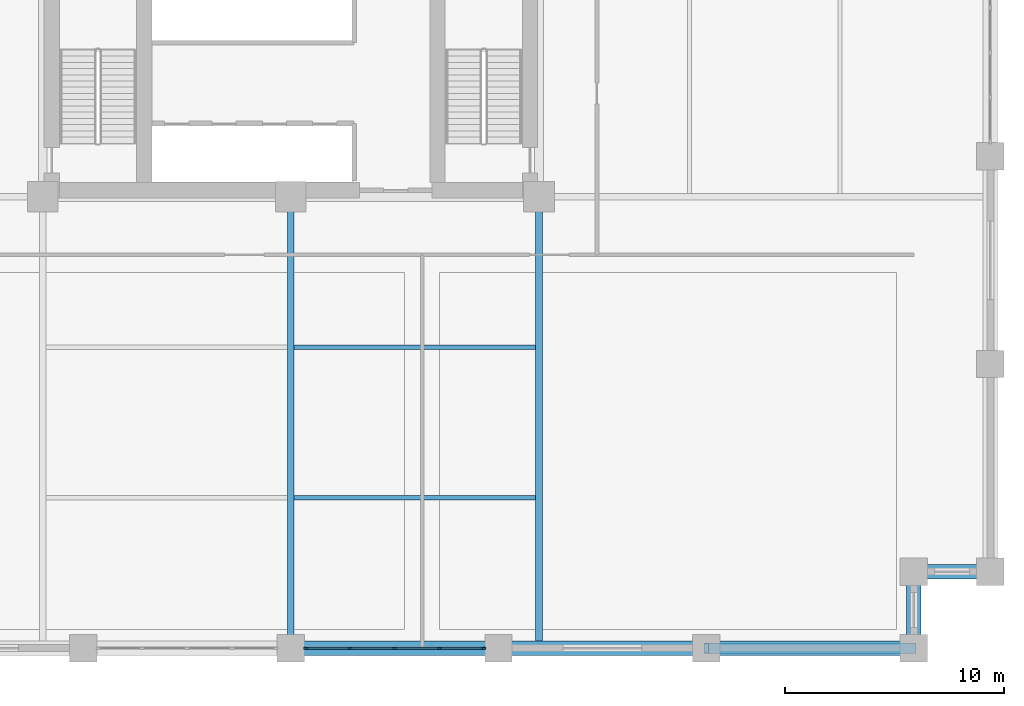
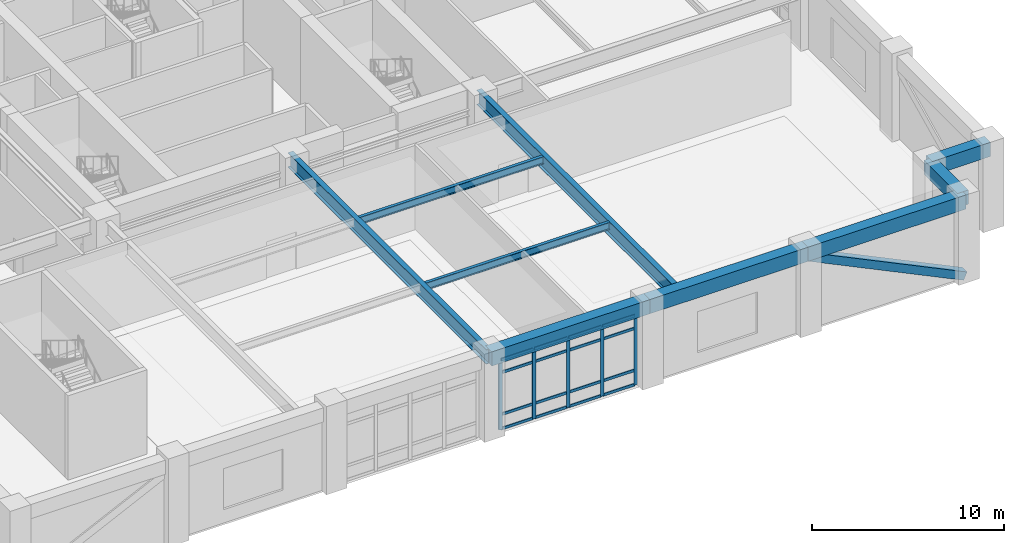
# One storey, part 4 of 21: 22 members, 9 beams, 1 element without a shape of its own.
"""IFC4 building model written with IfcOpenShell, lengths in metres."""

from ifc_helpers import new_model, si_unit, direction, frame, origin, origin_2d, place, context, subcontext, project, spatial, rectangle, hollow_rectangle, i_section, extrude, material, layer, layer_set, material_profile, profile_set, type_object, element, aggregate, save


model = new_model("IFC4")

# Units and contexts
model_context = context("Model", 3, precision=1e-05, world=origin(), true_north=direction((0.0, 1.0)))
body_context = subcontext(model_context, "Body", "Model", "MODEL_VIEW")
ifc_project = project(units=[si_unit("LENGTHUNIT", "METRE"), si_unit("AREAUNIT", "SQUARE_METRE"), si_unit("VOLUMEUNIT", "CUBIC_METRE"), si_unit("PLANEANGLEUNIT", "RADIAN"), si_unit("MASSUNIT", "GRAM", prefix="KILO")], contexts=[model_context])

# Site, building, storey
site_placement = place(None, origin())
site = spatial("IfcSite", under=ifc_project, at=site_placement, CompositionType="ELEMENT")
building_placement = place(site_placement, origin())
building = spatial("IfcBuilding", under=site, at=building_placement, Name="Nhamokura Convention Tower", CompositionType="ELEMENT")
storey_placement = place(building_placement, frame((0.0, 0.0, 6.64990234375)))
storey = spatial("IfcBuildingStorey", under=building, at=storey_placement, Name="L01", CompositionType="ELEMENT", Elevation=6.64990234375)

# Curtain wall, members
ifc_material_1 = material(Name="Anodised bronze aluminium AA6063-T6", Category="aluminium")
ifc_layer = layer(ifc_material_1, 0.179931640625)
ifc_layer_set = layer_set([ifc_layer], Name="CWSystem_PodiumConcourse")
curtain_wall_type = type_object("IfcCurtainWallType", Name="CWSystem_PodiumConcourse", PredefinedType="NOTDEFINED", material=ifc_layer_set)
curtain_wall_placement = place(storey_placement, origin())
curtain_wall = element("IfcCurtainWall", 1, at=curtain_wall_placement, inside=storey, type_object=curtain_wall_type, Name="L01 Curtain Wall ENV-L01-CW-S3", PredefinedType="NOTDEFINED")
ifc_material_2 = material(Name="Anodised bronze aluminium AA6063-T6", Category="aluminium")
ifc_material_profile_1 = material_profile(ifc_material_2, rectangle(XDim=0.077880859375, YDim=0.201904296875, at=origin_2d()))
ifc_profile_set_1 = profile_set([ifc_material_profile_1], Name="Anodised bronze aluminium AA6063-T6")
member_type_1 = type_object("IfcMemberType", Name="CWMullion_1", PredefinedType="MULLION", material=ifc_profile_set_1)
member_1_placement = place(storey_placement, frame((40.81103515625, 0.0, 0.0), z_axis=(0.0, 0.0, 1.0), x_axis=(0.0, -1.0, 0.0)))
member_1 = element("IfcMember", 2, at=member_1_placement, type_object=member_type_1, Name="CW-01 mullion 1", PredefinedType="MULLION", context=body_context, shape_type="SweptSolid", body=[
    extrude(rectangle(XDim=0.077880859375, YDim=0.201904296875, at=origin_2d()), origin(), (0.0, 0.0, 1.0), 4.460205078125),
])
member_2_placement = place(storey_placement, frame((38.800048828125, 0.0, 0.0), z_axis=(0.0, 0.0, 1.0), x_axis=(0.0, -1.0, 0.0)))
member_2 = element("IfcMember", 3, at=member_2_placement, type_object=member_type_1, Name="CW-01 mullion 2", PredefinedType="MULLION", context=body_context, shape_type="SweptSolid", body=[
    extrude(rectangle(XDim=0.077880859375, YDim=0.201904296875, at=origin_2d()), origin(), (0.0, 0.0, 1.0), 4.460205078125),
])
member_3_placement = place(storey_placement, frame((36.75, 0.0, 0.0), z_axis=(0.0, 0.0, 1.0), x_axis=(0.0, -1.0, 0.0)))
member_3 = element("IfcMember", 4, at=member_3_placement, type_object=member_type_1, Name="CW-01 mullion 3", PredefinedType="MULLION", context=body_context, shape_type="SweptSolid", body=[
    extrude(rectangle(XDim=0.077880859375, YDim=0.201904296875, at=origin_2d()), origin(), (0.0, 0.0, 1.0), 4.460205078125),
])
member_4_placement = place(storey_placement, frame((34.699951171875, 0.0, 0.0), z_axis=(0.0, 0.0, 1.0), x_axis=(0.0, -1.0, 0.0)))
member_4 = element("IfcMember", 5, at=member_4_placement, type_object=member_type_1, Name="CW-01 mullion 4", PredefinedType="MULLION", context=body_context, shape_type="SweptSolid", body=[
    extrude(rectangle(XDim=0.077880859375, YDim=0.201904296875, at=origin_2d()), origin(), (0.0, 0.0, 1.0), 4.460205078125),
])
member_5_placement = place(storey_placement, frame((32.68896484375, 0.0, 0.0), z_axis=(0.0, 0.0, 1.0), x_axis=(0.0, -1.0, 0.0)))
member_5 = element("IfcMember", 6, at=member_5_placement, type_object=member_type_1, Name="CW-01 mullion 5", PredefinedType="MULLION", context=body_context, shape_type="SweptSolid", body=[
    extrude(rectangle(XDim=0.077880859375, YDim=0.201904296875, at=origin_2d()), origin(), (0.0, 0.0, 1.0), 4.460205078125),
])
ifc_material_3 = material(Name="Anodised bronze aluminium AA6063-T6", Category="aluminium")
ifc_material_profile_2 = material_profile(ifc_material_3, rectangle(XDim=0.077880859375, YDim=0.172119140625, at=origin_2d()))
ifc_profile_set_2 = profile_set([ifc_material_profile_2], Name="Anodised bronze aluminium AA6063-T6")
member_type_2 = type_object("IfcMemberType", Name="CWTransom_1", PredefinedType="USERDEFINED", material=ifc_profile_set_2)
member_6_placement = place(storey_placement, frame((40.77197265625, 0.0, 0.0390625), z_axis=(-1.0, 0.0, 0.0), x_axis=(0.0, -1.0, 0.0)))
member_6 = element("IfcMember", 7, at=member_6_placement, type_object=member_type_2, Name="CW-01 transom 1.1", ObjectType="TRANSOM", PredefinedType="USERDEFINED", context=body_context, shape_type="SweptSolid", body=[
    extrude(rectangle(XDim=0.077880859375, YDim=0.172119140625, at=origin_2d()), origin(), (0.0, 0.0, 1.0), 1.932861328125),
])
member_7_placement = place(storey_placement, frame((40.77197265625, 0.0, 0.9501953125), z_axis=(-1.0, 0.0, 0.0), x_axis=(0.0, -1.0, 0.0)))
member_7 = element("IfcMember", 8, at=member_7_placement, type_object=member_type_2, Name="CW-01 transom 1.2", ObjectType="TRANSOM", PredefinedType="USERDEFINED", context=body_context, shape_type="SweptSolid", body=[
    extrude(rectangle(XDim=0.077880859375, YDim=0.172119140625, at=origin_2d()), origin(), (0.0, 0.0, 1.0), 1.932861328125),
])
member_8_placement = place(storey_placement, frame((40.77197265625, 0.0, 3.610107421875), z_axis=(-1.0, 0.0, 0.0), x_axis=(0.0, -1.0, 0.0)))
member_8 = element("IfcMember", 9, at=member_8_placement, type_object=member_type_2, Name="CW-01 transom 1.3", ObjectType="TRANSOM", PredefinedType="USERDEFINED", context=body_context, shape_type="SweptSolid", body=[
    extrude(rectangle(XDim=0.077880859375, YDim=0.172119140625, at=origin_2d()), origin(), (0.0, 0.0, 1.0), 1.932861328125),
])
member_9_placement = place(storey_placement, frame((40.77197265625, 0.0, 4.421142578125), z_axis=(-1.0, 0.0, 0.0), x_axis=(0.0, -1.0, 0.0)))
member_9 = element("IfcMember", 10, at=member_9_placement, type_object=member_type_2, Name="CW-01 transom 1.4", ObjectType="TRANSOM", PredefinedType="USERDEFINED", context=body_context, shape_type="SweptSolid", body=[
    extrude(rectangle(XDim=0.077880859375, YDim=0.172119140625, at=origin_2d()), origin(), (0.0, 0.0, 1.0), 1.932861328125),
])
member_10_placement = place(storey_placement, frame((38.760986328125, 0.0, 0.0390625), z_axis=(-1.0, 0.0, 0.0), x_axis=(0.0, -1.0, 0.0)))
member_10 = element("IfcMember", 11, at=member_10_placement, type_object=member_type_2, Name="CW-01 transom 2.1", ObjectType="TRANSOM", PredefinedType="USERDEFINED", context=body_context, shape_type="SweptSolid", body=[
    extrude(rectangle(XDim=0.077880859375, YDim=0.172119140625, at=origin_2d()), origin(), (0.0, 0.0, 1.0), 1.971923828125),
])
member_11_placement = place(storey_placement, frame((38.760986328125, 0.0, 0.9501953125), z_axis=(-1.0, 0.0, 0.0), x_axis=(0.0, -1.0, 0.0)))
member_11 = element("IfcMember", 12, at=member_11_placement, type_object=member_type_2, Name="CW-01 transom 2.2", ObjectType="TRANSOM", PredefinedType="USERDEFINED", context=body_context, shape_type="SweptSolid", body=[
    extrude(rectangle(XDim=0.077880859375, YDim=0.172119140625, at=origin_2d()), origin(), (0.0, 0.0, 1.0), 1.971923828125),
])
member_12_placement = place(storey_placement, frame((38.760986328125, 0.0, 3.610107421875), z_axis=(-1.0, 0.0, 0.0), x_axis=(0.0, -1.0, 0.0)))
member_12 = element("IfcMember", 13, at=member_12_placement, type_object=member_type_2, Name="CW-01 transom 2.3", ObjectType="TRANSOM", PredefinedType="USERDEFINED", context=body_context, shape_type="SweptSolid", body=[
    extrude(rectangle(XDim=0.077880859375, YDim=0.172119140625, at=origin_2d()), origin(), (0.0, 0.0, 1.0), 1.971923828125),
])
member_13_placement = place(storey_placement, frame((38.760986328125, 0.0, 4.421142578125), z_axis=(-1.0, 0.0, 0.0), x_axis=(0.0, -1.0, 0.0)))
member_13 = element("IfcMember", 14, at=member_13_placement, type_object=member_type_2, Name="CW-01 transom 2.4", ObjectType="TRANSOM", PredefinedType="USERDEFINED", context=body_context, shape_type="SweptSolid", body=[
    extrude(rectangle(XDim=0.077880859375, YDim=0.172119140625, at=origin_2d()), origin(), (0.0, 0.0, 1.0), 1.971923828125),
])
member_14_placement = place(storey_placement, frame((36.7109375, 0.0, 0.0390625), z_axis=(-1.0, 0.0, 0.0), x_axis=(0.0, -1.0, 0.0)))
member_14 = element("IfcMember", 15, at=member_14_placement, type_object=member_type_2, Name="CW-01 transom 3.1", ObjectType="TRANSOM", PredefinedType="USERDEFINED", context=body_context, shape_type="SweptSolid", body=[
    extrude(rectangle(XDim=0.077880859375, YDim=0.172119140625, at=origin_2d()), origin(), (0.0, 0.0, 1.0), 1.971923828125),
])
member_15_placement = place(storey_placement, frame((36.7109375, 0.0, 0.9501953125), z_axis=(-1.0, 0.0, 0.0), x_axis=(0.0, -1.0, 0.0)))
member_15 = element("IfcMember", 16, at=member_15_placement, type_object=member_type_2, Name="CW-01 transom 3.2", ObjectType="TRANSOM", PredefinedType="USERDEFINED", context=body_context, shape_type="SweptSolid", body=[
    extrude(rectangle(XDim=0.077880859375, YDim=0.172119140625, at=origin_2d()), origin(), (0.0, 0.0, 1.0), 1.971923828125),
])
member_16_placement = place(storey_placement, frame((36.7109375, 0.0, 3.610107421875), z_axis=(-1.0, 0.0, 0.0), x_axis=(0.0, -1.0, 0.0)))
member_16 = element("IfcMember", 17, at=member_16_placement, type_object=member_type_2, Name="CW-01 transom 3.3", ObjectType="TRANSOM", PredefinedType="USERDEFINED", context=body_context, shape_type="SweptSolid", body=[
    extrude(rectangle(XDim=0.077880859375, YDim=0.172119140625, at=origin_2d()), origin(), (0.0, 0.0, 1.0), 1.971923828125),
])
member_17_placement = place(storey_placement, frame((36.7109375, 0.0, 4.421142578125), z_axis=(-1.0, 0.0, 0.0), x_axis=(0.0, -1.0, 0.0)))
member_17 = element("IfcMember", 18, at=member_17_placement, type_object=member_type_2, Name="CW-01 transom 3.4", ObjectType="TRANSOM", PredefinedType="USERDEFINED", context=body_context, shape_type="SweptSolid", body=[
    extrude(rectangle(XDim=0.077880859375, YDim=0.172119140625, at=origin_2d()), origin(), (0.0, 0.0, 1.0), 1.971923828125),
])
member_18_placement = place(storey_placement, frame((34.660888671875, 0.0, 0.0390625), z_axis=(-1.0, 0.0, 0.0), x_axis=(0.0, -1.0, 0.0)))
member_18 = element("IfcMember", 19, at=member_18_placement, type_object=member_type_2, Name="CW-01 transom 4.1", ObjectType="TRANSOM", PredefinedType="USERDEFINED", context=body_context, shape_type="SweptSolid", body=[
    extrude(rectangle(XDim=0.077880859375, YDim=0.172119140625, at=origin_2d()), origin(), (0.0, 0.0, 1.0), 1.932861328125),
])
member_19_placement = place(storey_placement, frame((34.660888671875, 0.0, 0.9501953125), z_axis=(-1.0, 0.0, 0.0), x_axis=(0.0, -1.0, 0.0)))
member_19 = element("IfcMember", 20, at=member_19_placement, type_object=member_type_2, Name="CW-01 transom 4.2", ObjectType="TRANSOM", PredefinedType="USERDEFINED", context=body_context, shape_type="SweptSolid", body=[
    extrude(rectangle(XDim=0.077880859375, YDim=0.172119140625, at=origin_2d()), origin(), (0.0, 0.0, 1.0), 1.932861328125),
])
member_20_placement = place(storey_placement, frame((34.660888671875, 0.0, 3.610107421875), z_axis=(-1.0, 0.0, 0.0), x_axis=(0.0, -1.0, 0.0)))
member_20 = element("IfcMember", 21, at=member_20_placement, type_object=member_type_2, Name="CW-01 transom 4.3", ObjectType="TRANSOM", PredefinedType="USERDEFINED", context=body_context, shape_type="SweptSolid", body=[
    extrude(rectangle(XDim=0.077880859375, YDim=0.172119140625, at=origin_2d()), origin(), (0.0, 0.0, 1.0), 1.932861328125),
])
member_21_placement = place(storey_placement, frame((34.660888671875, 0.0, 4.421142578125), z_axis=(-1.0, 0.0, 0.0), x_axis=(0.0, -1.0, 0.0)))
member_21 = element("IfcMember", 22, at=member_21_placement, type_object=member_type_2, Name="CW-01 transom 4.4", ObjectType="TRANSOM", PredefinedType="USERDEFINED", context=body_context, shape_type="SweptSolid", body=[
    extrude(rectangle(XDim=0.077880859375, YDim=0.172119140625, at=origin_2d()), origin(), (0.0, 0.0, 1.0), 1.932861328125),
])
aggregate(curtain_wall, [member_1, member_2, member_3, member_4, member_5, member_6, member_7, member_8, member_9, member_10, member_11, member_12, member_13, member_14, member_15, member_16, member_17, member_18, member_19, member_20, member_21])

# Beams
ifc_material_4 = material(Name="Steel ASTM A992 Gr 50", Category="steel")
ifc_material_profile_3 = material_profile(ifc_material_4, i_section(OverallWidth=0.19189453125, OverallDepth=0.462890625, WebThickness=0.010498046875, FlangeThickness=0.017578125, at=origin_2d()))
ifc_profile_set_3 = profile_set([ifc_material_profile_3], Name="Steel ASTM A992 Gr 50")
beam_type_1 = type_object("IfcBeamType", Name="FloorJoist_W460X89", PredefinedType="JOIST", material=ifc_profile_set_3)
for number, where, z_axis, x_axis, name in (
    (23, (32.152099609375, 6.88330078125, 5.128662109375), (1.0, 0.0, 0.0), (0.0, 1.0, 0.0), "L01 Composite Floor Joist S1B"),
    (24, (32.152099609375, 13.7666015625, 5.128662109375), (1.0, 0.0, 0.0), (0.0, 1.0, 0.0), "L01 Composite Floor Joist S2B"),
):
    element("IfcBeam", number, at=place(storey_placement, frame(where, z_axis=z_axis, x_axis=x_axis)), inside=storey, type_object=beam_type_1, Name=name, PredefinedType="JOIST", context=body_context, shape_type="SweptSolid", body=[
        extrude(i_section(OverallWidth=0.19189453125, OverallDepth=0.462890625, WebThickness=0.010498046875, FlangeThickness=0.017578125, at=origin_2d()), origin(), (0.0, 0.0, 1.0), 11.0458984375),
    ])
ifc_material_5 = material(Name="Steel ASTM A992 Gr 50", Category="steel")
ifc_material_profile_4 = material_profile(ifc_material_5, i_section(OverallWidth=0.30810546875, OverallDepth=0.927001953125, WebThickness=0.019287109375, FlangeThickness=0.031982421875, at=origin_2d()))
ifc_profile_set_4 = profile_set([ifc_material_profile_4], Name="Steel ASTM A992 Gr 50")
beam_type_2 = type_object("IfcBeamType", Name="HallGirder_W920X289", PredefinedType="BEAM", material=ifc_profile_set_4)
for number, where, z_axis, x_axis, name in (
    (25, (32.0, 0.0, 4.896484375), (0.0, 1.0, 0.0), (-1.0, 0.0, 0.0), "L01 Primary Floor Girder PG-S2"),
    (26, (43.35009765625, 0.0, 4.896484375), (0.0, 1.0, 0.0), (-1.0, 0.0, 0.0), "L01 Primary Floor Girder PG-S3"),
):
    element("IfcBeam", number, at=place(storey_placement, frame(where, z_axis=z_axis, x_axis=x_axis)), inside=storey, type_object=beam_type_2, Name=name, PredefinedType="BEAM", context=body_context, shape_type="SweptSolid", body=[
        extrude(i_section(OverallWidth=0.30810546875, OverallDepth=0.927001953125, WebThickness=0.019287109375, FlangeThickness=0.031982421875, at=origin_2d()), origin(), (0.0, 0.0, 1.0), 20.64990234375),
    ])

# Member
ifc_material_6 = material(Name="Steel ASTM A572 Gr 50", Category="steel")
ifc_material_profile_5 = material_profile(ifc_material_6, hollow_rectangle(XDim=0.5, YDim=0.5, WallThickness=0.02490234375, at=origin_2d()))
ifc_profile_set_5 = profile_set([ifc_material_profile_5], Name="Steel ASTM A572 Gr 50")
member_type_3 = type_object("IfcMemberType", Name="TubeBrace_HSS500", PredefinedType="BRACE", material=ifc_profile_set_5)
member_22_placement = place(storey_placement, frame((60.5, 0.0, 0.150146484375), z_axis=(-0.901520888263, 0.0, 0.432735586734), x_axis=(0.0, -1.0, 0.0)))
element("IfcMember", 27, at=member_22_placement, inside=storey, type_object=member_type_3, Name="L01 Perimeter Tube Brace SOUTH Bay 5", PredefinedType="BRACE", context=body_context, shape_type="SweptSolid", body=[
    extrude(hollow_rectangle(XDim=0.5, YDim=0.5, WallThickness=0.02490234375, at=origin_2d()), origin(), (0.0, 0.0, 1.0), 10.537841796875),
])

# Beams
ifc_material_7 = material(Name="Concrete C60/75", Category="concrete")
ifc_material_profile_6 = material_profile(ifc_material_7, rectangle(XDim=0.64990234375, YDim=0.89990234375, at=origin_2d()))
ifc_profile_set_6 = profile_set([ifc_material_profile_6], Name="Concrete C60/75")
beam_type_3 = type_object("IfcBeamType", Name="TubeSpandrel_900", PredefinedType="SPANDREL", material=ifc_profile_set_6)
for number, where, z_axis, x_axis, name in (
    (28, (32.0, 0.0, 4.91015625), (1.0, 0.0, 0.0), (0.0, 1.0, 0.0), "L01 Perimeter Spandrel SOUTH 4"),
    (29, (41.5, 0.0, 4.91015625), (1.0, 0.0, 0.0), (0.0, 1.0, 0.0), "L01 Perimeter Spandrel SOUTH 5"),
    (30, (51.0, 0.0, 4.91015625), (1.0, 0.0, 0.0), (0.0, 1.0, 0.0), "L01 Perimeter Spandrel SOUTH 6"),
):
    element("IfcBeam", number, at=place(storey_placement, frame(where, z_axis=z_axis, x_axis=x_axis)), inside=storey, type_object=beam_type_3, Name=name, PredefinedType="SPANDREL", context=body_context, shape_type="SweptSolid", body=[
        extrude(rectangle(XDim=0.64990234375, YDim=0.89990234375, at=origin_2d()), origin(), (0.0, 0.0, 1.0), 9.5),
    ])
for number, where, z_axis, x_axis, name in (
    (31, (60.5, 0.0, 4.91015625), (0.0, 1.0, 0.0), (-1.0, 0.0, 0.0), "L01 Notch Spandrel SE1"),
    (32, (60.5, 3.5, 4.91015625), (1.0, 0.0, 0.0), (0.0, 1.0, 0.0), "L01 Notch Spandrel SE2"),
):
    element("IfcBeam", number, at=place(storey_placement, frame(where, z_axis=z_axis, x_axis=x_axis)), inside=storey, type_object=beam_type_3, Name=name, PredefinedType="SPANDREL", context=body_context, shape_type="SweptSolid", body=[
        extrude(rectangle(XDim=0.64990234375, YDim=0.89990234375, at=origin_2d()), origin(), (0.0, 0.0, 1.0), 3.5),
    ])

save(model, "model.ifc")
